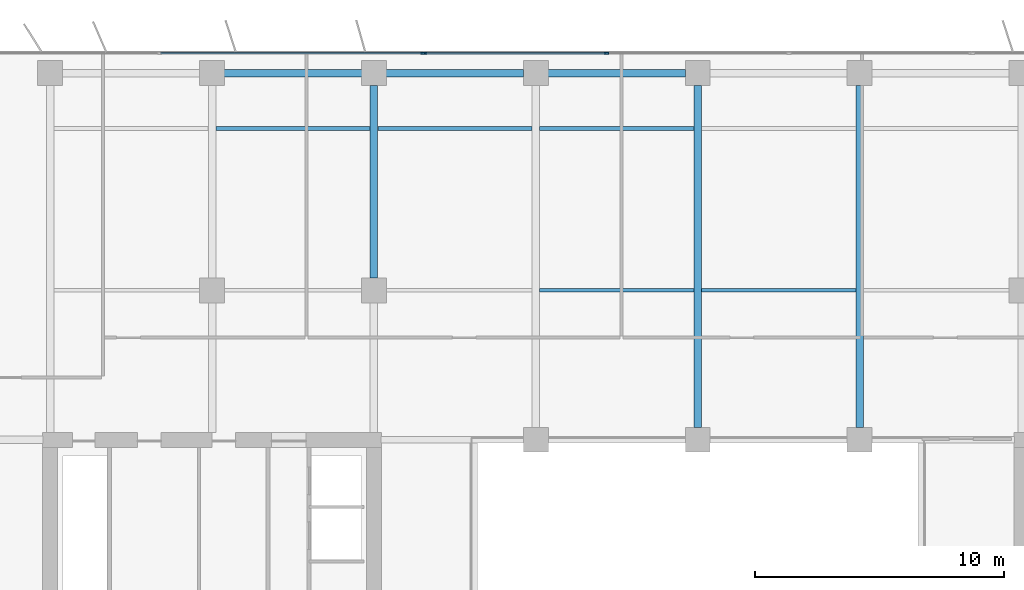
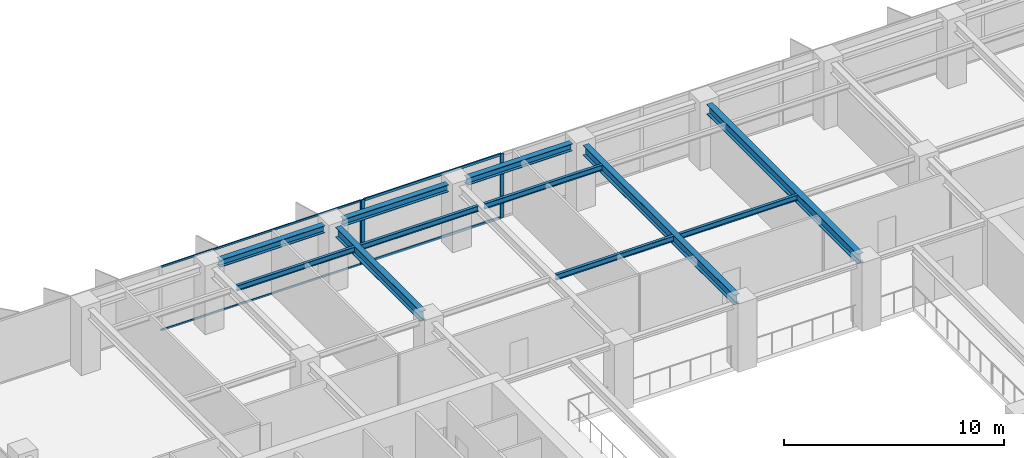
# One storey, part 9 of 22: 11 beams, 7 members, 2 elements without a shape of their own.
"""IFC4 building model written with IfcOpenShell, lengths in metres."""

from ifc_helpers import new_model, si_unit, direction, frame, origin, origin_2d, place, context, subcontext, project, spatial, rectangle, i_section, extrude, material, layer, layer_set, material_profile, profile_set, type_object, element, aggregate, save


model = new_model("IFC4")

# Units and contexts
model_context = context("Model", 3, precision=1e-05, world=origin(), true_north=direction((0.0, 1.0)))
body_context = subcontext(model_context, "Body", "Model", "MODEL_VIEW")
ifc_project = project(units=[si_unit("LENGTHUNIT", "METRE"), si_unit("AREAUNIT", "SQUARE_METRE"), si_unit("VOLUMEUNIT", "CUBIC_METRE"), si_unit("PLANEANGLEUNIT", "RADIAN"), si_unit("MASSUNIT", "GRAM", prefix="KILO")], contexts=[model_context])

# Site, building, storey
site_placement = place(None, origin())
site = spatial("IfcSite", under=ifc_project, at=site_placement, CompositionType="ELEMENT")
building_placement = place(site_placement, origin())
building = spatial("IfcBuilding", under=site, at=building_placement, Name="Putna Gate Headquarters", CompositionType="ELEMENT")
storey_placement = place(building_placement, frame((0.0, 0.0, 159.39990234375)))
storey = spatial("IfcBuildingStorey", under=building, at=storey_placement, Name="L39", CompositionType="ELEMENT", Elevation=159.39990234375)

# Beams
ifc_material_1 = material(Name="Steel S355J2", Category="steel")
ifc_material_profile_1 = material_profile(ifc_material_1, i_section(OverallWidth=0.300048828125, OverallDepth=0.550048828125, WebThickness=0.014892578125, FlangeThickness=0.029052734375, at=origin_2d()), Name="Steel S355J2")
ifc_profile_set_1 = profile_set([ifc_material_profile_1], Name="Steel S355J2")
beam_type_1 = type_object("IfcBeamType", Name="BM-GIRD-Z3-HEB550", PredefinedType="USERDEFINED", material=ifc_profile_set_1)
beam_placement = place(storey_placement, frame((26.0, 39.488037109375, 3.297119140625), z_axis=(0.0, 1.0, 0.0), x_axis=(-1.0, 0.0, 0.0)))
element("IfcBeam", 1, at=beam_placement, inside=storey, type_object=beam_type_1, Name="L39 North Primary Girder X26-2", ObjectType="GIRDER", PredefinedType="USERDEFINED", context=body_context, shape_type="SweptSolid", body=[
    extrude(i_section(OverallWidth=0.300048828125, OverallDepth=0.550048828125, WebThickness=0.014892578125, FlangeThickness=0.029052734375, at=origin_2d()), origin(), (0.0, 0.0, 1.0), 7.743896484375),
])
for number, where, z_axis, x_axis, name in (
    (2, (39.0, 33.488037109375, 3.297119140625), (0.0, 1.0, 0.0), (-1.0, 0.0, 0.0), "L39 North Primary Girder X39"),
    (3, (45.5, 33.488037109375, 3.297119140625), (0.0, 1.0, 0.0), (-1.0, 0.0, 0.0), "L39 North Primary Girder X45"),
):
    element("IfcBeam", number, at=place(storey_placement, frame(where, z_axis=z_axis, x_axis=x_axis)), inside=storey, type_object=beam_type_1, Name=name, ObjectType="GIRDER", PredefinedType="USERDEFINED", context=body_context, shape_type="SweptSolid", body=[
        extrude(i_section(OverallWidth=0.300048828125, OverallDepth=0.550048828125, WebThickness=0.014892578125, FlangeThickness=0.029052734375, at=origin_2d()), origin(), (0.0, 0.0, 1.0), 13.743896484375),
    ])
ifc_material_profile_2 = material_profile(ifc_material_1, i_section(OverallWidth=0.14990234375, OverallDepth=0.300048828125, WebThickness=0.007080078125, FlangeThickness=0.0107421875, at=origin_2d()), Name="Steel S355J2")
ifc_profile_set_2 = profile_set([ifc_material_profile_2], Name="Steel S355J2")
beam_type_2 = type_object("IfcBeamType", Name="BM-SEC-Z3-IPE300", PredefinedType="JOIST", material=ifc_profile_set_2)
for number, where, z_axis, x_axis, name in (
    (4, (19.654052734375, 45.5, 3.422119140625), (1.0, 0.0, 0.0), (0.0, 1.0, 0.0), "L39 North Secondary Beam 2"),
    (5, (26.154052734375, 45.5, 3.422119140625), (1.0, 0.0, 0.0), (0.0, 1.0, 0.0), "L39 North Secondary Beam 3"),
    (6, (32.654052734375, 39.0, 3.422119140625), (1.0, 0.0, 0.0), (0.0, 1.0, 0.0), "L39 North Secondary Beam 4"),
    (7, (32.654052734375, 45.5, 3.422119140625), (1.0, 0.0, 0.0), (0.0, 1.0, 0.0), "L39 North Secondary Beam 4"),
    (8, (39.154052734375, 39.0, 3.422119140625), (1.0, 0.0, 0.0), (0.0, 1.0, 0.0), "L39 North Secondary Beam 5"),
):
    element("IfcBeam", number, at=place(storey_placement, frame(where, z_axis=z_axis, x_axis=x_axis)), inside=storey, type_object=beam_type_2, Name=name, PredefinedType="JOIST", context=body_context, shape_type="SweptSolid", body=[
        extrude(i_section(OverallWidth=0.14990234375, OverallDepth=0.300048828125, WebThickness=0.007080078125, FlangeThickness=0.0107421875, at=origin_2d()), origin(), (0.0, 0.0, 1.0), 6.19189453125),
    ])
ifc_material_profile_3 = material_profile(ifc_material_1, i_section(OverallWidth=0.300048828125, OverallDepth=0.39990234375, WebThickness=0.013427734375, FlangeThickness=0.02392578125, at=origin_2d()), Name="Steel S355J2")
ifc_profile_set_3 = profile_set([ifc_material_profile_3], Name="Steel S355J2")
beam_type_3 = type_object("IfcBeamType", Name="BM-SPAN-Z3-HEB400", PredefinedType="SPANDREL", material=ifc_profile_set_3)
for number, where, z_axis, x_axis, name in (
    (9, (19.988037109375, 47.719970703125, 3.3720703125), (1.0, 0.0, 0.0), (0.0, 1.0, 0.0), "L39 N Perimeter Spandrel 2"),
    (10, (26.488037109375, 47.719970703125, 3.3720703125), (1.0, 0.0, 0.0), (0.0, 1.0, 0.0), "L39 N Perimeter Spandrel 3"),
    (11, (32.988037109375, 47.719970703125, 3.3720703125), (1.0, 0.0, 0.0), (0.0, 1.0, 0.0), "L39 N Perimeter Spandrel 4"),
):
    element("IfcBeam", number, at=place(storey_placement, frame(where, z_axis=z_axis, x_axis=x_axis)), inside=storey, type_object=beam_type_3, Name=name, PredefinedType="SPANDREL", context=body_context, shape_type="SweptSolid", body=[
        extrude(i_section(OverallWidth=0.300048828125, OverallDepth=0.39990234375, WebThickness=0.013427734375, FlangeThickness=0.02392578125, at=origin_2d()), origin(), (0.0, 0.0, 1.0), 5.52392578125),
    ])

# Curtain wall, member
ifc_material_2 = material(Name="Anodised bronze aluminium curtain wall", Category="aluminium")
ifc_layer_1 = layer(ifc_material_2, 0.159912109375)
ifc_layer_set_1 = layer_set([ifc_layer_1], Name="Anodised bronze aluminium curtain wall")
curtain_wall_type_1 = type_object("IfcCurtainWallType", Name="CW-SYS-Z3", PredefinedType="USERDEFINED", material=ifc_layer_set_1)
curtain_wall_1_placement = place(storey_placement, origin())
curtain_wall_1 = element("IfcCurtainWall", 12, at=curtain_wall_1_placement, inside=storey, type_object=curtain_wall_type_1, Name="L39 North West Curtain Wall", ObjectType="STICK CURTAIN WALL", PredefinedType="USERDEFINED")
ifc_material_3 = material(Name="Anodised bronze aluminium EN AW-6060", Category="aluminium")
ifc_material_profile_4 = material_profile(ifc_material_3, rectangle(XDim=0.06494140625, YDim=0.159912109375, at=origin_2d()), Name="Anodised bronze aluminium EN AW-6060")
ifc_profile_set_4 = profile_set([ifc_material_profile_4], Name="Anodised bronze aluminium EN AW-6060")
member_type_1 = type_object("IfcMemberType", Name="MULL-CWM-3", PredefinedType="MULLION", material=ifc_profile_set_4)
member_1_placement = place(storey_placement, frame((27.967529296875, 48.52001953125, 0.0), z_axis=(0.0, 0.0, 1.0), x_axis=(0.0, 1.0, 0.0)))
member_1 = element("IfcMember", 13, at=member_1_placement, type_object=member_type_1, Name="CWS-3 mullion 3", PredefinedType="MULLION", context=body_context, shape_type="SweptSolid", body=[
    extrude(rectangle(XDim=0.06494140625, YDim=0.159912109375, at=origin_2d()), origin(), (0.0, 0.0, 1.0), 3.572021484375),
])

# Curtain wall, members
ifc_layer_2 = layer(ifc_material_2, 0.179931640625)
ifc_layer_set_2 = layer_set([ifc_layer_2], Name="Anodised bronze aluminium curtain wall")
curtain_wall_type_2 = type_object("IfcCurtainWallType", Name="CW-SYS-ATR", PredefinedType="USERDEFINED", material=ifc_layer_set_2)
curtain_wall_2_placement = place(storey_placement, origin())
curtain_wall_2 = element("IfcCurtainWall", 14, at=curtain_wall_2_placement, inside=storey, type_object=curtain_wall_type_2, Name="L39 North Atrium Clear Glazing", ObjectType="ATRIUM GLAZING", PredefinedType="USERDEFINED")
ifc_material_profile_5 = material_profile(ifc_material_3, rectangle(XDim=0.070068359375, YDim=0.179931640625, at=origin_2d()), Name="Anodised bronze aluminium EN AW-6060")
ifc_profile_set_5 = profile_set([ifc_material_profile_5], Name="Anodised bronze aluminium EN AW-6060")
member_type_2 = type_object("IfcMemberType", Name="MULL-CWM-AT", PredefinedType="MULLION", material=ifc_profile_set_5)
member_2_placement = place(storey_placement, frame((28.034912109375, 48.52001953125, 0.0), z_axis=(0.0, 0.0, 1.0), x_axis=(0.0, 1.0, 0.0)))
member_2 = element("IfcMember", 15, at=member_2_placement, type_object=member_type_2, Name="CWS-AT mullion 1", PredefinedType="MULLION", context=body_context, shape_type="SweptSolid", body=[
    extrude(rectangle(XDim=0.070068359375, YDim=0.179931640625, at=origin_2d()), origin(), (0.0, 0.0, 1.0), 3.572021484375),
])
member_3_placement = place(storey_placement, frame((35.333251953125, 48.52001953125, 0.0), z_axis=(0.0, 0.0, 1.0), x_axis=(0.0, 1.0, 0.0)))
member_3 = element("IfcMember", 16, at=member_3_placement, type_object=member_type_2, Name="CWS-AT mullion 2", PredefinedType="MULLION", context=body_context, shape_type="SweptSolid", body=[
    extrude(rectangle(XDim=0.070068359375, YDim=0.179931640625, at=origin_2d()), origin(), (0.0, 0.0, 1.0), 3.572021484375),
])

# Member
ifc_material_profile_6 = material_profile(ifc_material_3, rectangle(XDim=0.06005859375, YDim=0.10009765625, at=origin_2d()), Name="Anodised bronze aluminium EN AW-6060")
ifc_profile_set_6 = profile_set([ifc_material_profile_6], Name="Anodised bronze aluminium EN AW-6060")
member_type_3 = type_object("IfcMemberType", Name="TRAN-CWT-3", PredefinedType="USERDEFINED", material=ifc_profile_set_6)
member_4_placement = place(storey_placement, frame((17.4326171875, 48.52001953125, 0.030029296875), z_axis=(1.0, 0.0, 0.0), x_axis=(0.0, 1.0, 0.0)))
member_4 = element("IfcMember", 17, at=member_4_placement, type_object=member_type_3, Name="CWS-3 transom 2.1", ObjectType="TRANSOM", PredefinedType="USERDEFINED", context=body_context, shape_type="SweptSolid", body=[
    extrude(rectangle(XDim=0.06005859375, YDim=0.10009765625, at=origin_2d()), origin(), (0.0, 0.0, 1.0), 10.50244140625),
])

member_5_placement = place(storey_placement, frame((17.4326171875, 48.52001953125, 3.5419921875), z_axis=(1.0, 0.0, 0.0), x_axis=(0.0, 1.0, 0.0)))
member_5 = element("IfcMember", 18, at=member_5_placement, type_object=member_type_3, Name="CWS-3 transom 2.2", ObjectType="TRANSOM", PredefinedType="USERDEFINED", context=body_context, shape_type="SweptSolid", body=[
    extrude(rectangle(XDim=0.06005859375, YDim=0.10009765625, at=origin_2d()), origin(), (0.0, 0.0, 1.0), 10.50244140625),
])

aggregate(curtain_wall_1, [member_1, member_4, member_5])

ifc_material_profile_7 = material_profile(ifc_material_3, rectangle(XDim=0.070068359375, YDim=0.139892578125, at=origin_2d()), Name="Anodised bronze aluminium EN AW-6060")
ifc_profile_set_7 = profile_set([ifc_material_profile_7], Name="Anodised bronze aluminium EN AW-6060")
member_type_4 = type_object("IfcMemberType", Name="TRAN-CWT-AT", PredefinedType="USERDEFINED", material=ifc_profile_set_7)
member_6_placement = place(storey_placement, frame((28.070068359375, 48.52001953125, 0.03515625), z_axis=(1.0, 0.0, 0.0), x_axis=(0.0, 1.0, 0.0)))
member_6 = element("IfcMember", 19, at=member_6_placement, type_object=member_type_4, Name="CWS-AT transom 1.1", ObjectType="TRANSOM", PredefinedType="USERDEFINED", context=body_context, shape_type="SweptSolid", body=[
    extrude(rectangle(XDim=0.070068359375, YDim=0.139892578125, at=origin_2d()), origin(), (0.0, 0.0, 1.0), 7.228271484375),
])

member_7_placement = place(storey_placement, frame((28.070068359375, 48.52001953125, 3.537109375), z_axis=(1.0, 0.0, 0.0), x_axis=(0.0, 1.0, 0.0)))
member_7 = element("IfcMember", 20, at=member_7_placement, type_object=member_type_4, Name="CWS-AT transom 1.2", ObjectType="TRANSOM", PredefinedType="USERDEFINED", context=body_context, shape_type="SweptSolid", body=[
    extrude(rectangle(XDim=0.070068359375, YDim=0.139892578125, at=origin_2d()), origin(), (0.0, 0.0, 1.0), 7.228271484375),
])

aggregate(curtain_wall_2, [member_2, member_3, member_6, member_7])

save(model, "model.ifc")
